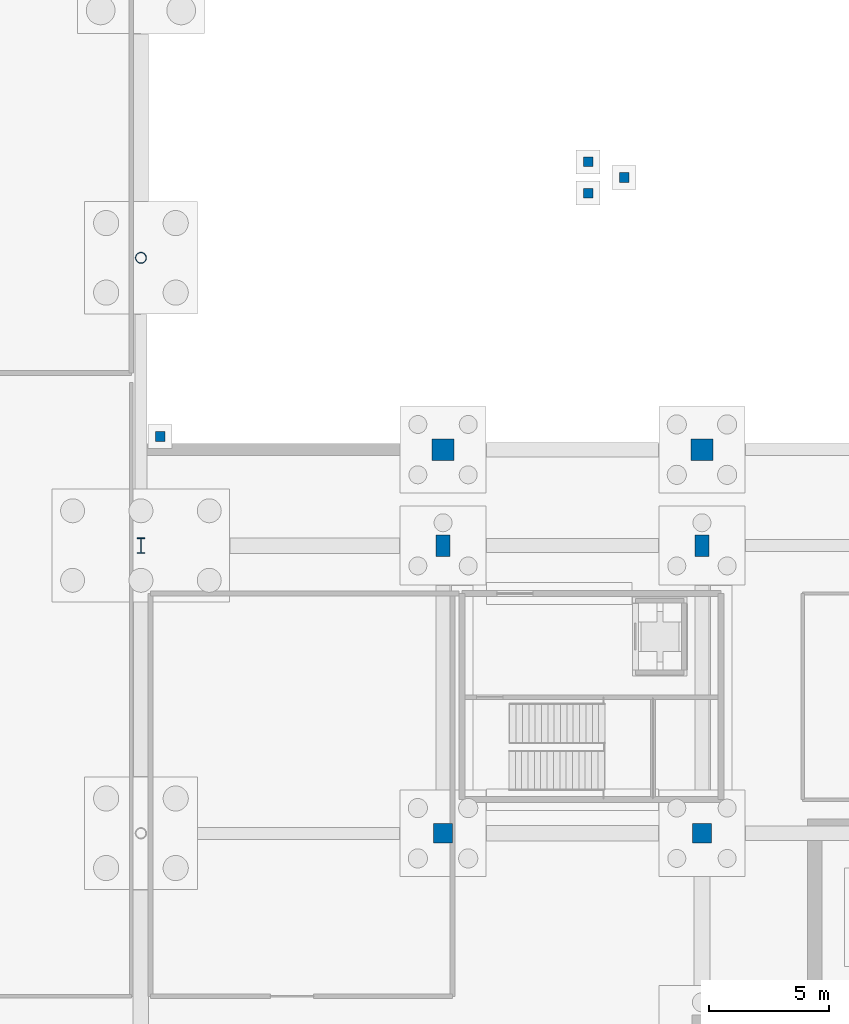
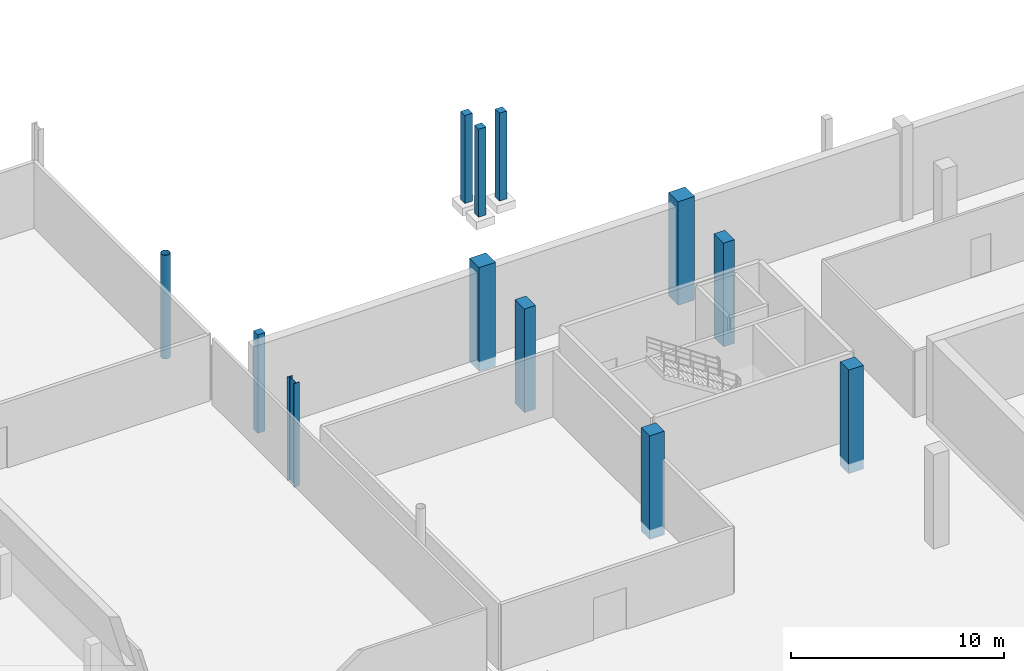
# One storey, part 16 of 42: 12 columns.
"""IFC4 building model written with IfcOpenShell, lengths in metres."""

import ifcopenshell
import ifcopenshell.guid

model = None  # the IFC model being written
_history = None  # IfcOwnerHistory: only IFC2X3 demands one
_inside = {}  # id of a spatial element -> (the spatial element, [elements in it])
_under = {}  # id of a project, library or spatial element -> (it, [spatial elements below it])
_declared = {}  # id of a project -> (the project, [libraries it declares])
_typed = {}  # id of a type object -> (the type object, [elements of that type])
_made_of = {}  # id of a material, layer set ... -> (it, [elements and type objects made of it])


def new_model(schema):
    """Start an empty IFC model of exactly this schema.

    Asked for "IFC4X3", IfcOpenShell would pick the latest addendum, in which some entities
    have other attributes; the version numbers below select the first issue.
    IFC2X3 requires an IfcOwnerHistory on every rooted entity: one is made here for all.
    """
    global model, _history
    if schema == "IFC4X3":
        model = ifcopenshell.file(schema_version=(4, 3, 0, 0))
    else:
        model = ifcopenshell.file(schema=schema)
    _inside.clear()
    _under.clear()
    _declared.clear()
    _typed.clear()
    _made_of.clear()
    _history = None
    if model.schema == "IFC2X3":
        org = make("IfcOrganization", Name="unknown")
        user = make(
            "IfcPersonAndOrganization",
            ThePerson=make("IfcPerson", FamilyName="unknown"),
            TheOrganization=org,
        )
        app = make(
            "IfcApplication",
            ApplicationDeveloper=org,
            Version="unknown",
            ApplicationFullName="unknown",
            ApplicationIdentifier="unknown",
        )
        _history = make(
            "IfcOwnerHistory",
            OwningUser=user,
            OwningApplication=app,
            ChangeAction="ADDED",
            CreationDate=0,
        )
    return model


def make(cls, **values):
    """One entity of the class cls with the attributes given. An attribute that is None is left unset."""
    return model.create_entity(
        cls, **{name: value for name, value in values.items() if value is not None}
    )


def rooted(cls, **values):
    """An entity with a GlobalId (a new one), such as an element, a storey or a relation."""
    return make(cls, GlobalId=ifcopenshell.guid.new(), OwnerHistory=_history, **values)


def si_unit(unit_type, name, prefix=None):
    """IfcSIUnit, for example si_unit("LENGTHUNIT", "METRE", prefix="MILLI")."""
    return make("IfcSIUnit", UnitType=unit_type, Prefix=prefix, Name=name)


def assignment(units):
    """IfcUnitAssignment: the units of a project."""
    return None if units is None else make("IfcUnitAssignment", Units=units)


def point(xyz):
    """IfcCartesianPoint."""
    return None if xyz is None else make("IfcCartesianPoint", Coordinates=xyz)


def direction(xyz):
    """IfcDirection."""
    return None if xyz is None else make("IfcDirection", DirectionRatios=xyz)


def frame(location, z_axis=None, x_axis=None):
    """IfcAxis2Placement3D, a coordinate frame: its origin and axes. An axis left out is left unset."""
    return make(
        "IfcAxis2Placement3D",
        Location=point(location),
        Axis=direction(z_axis),
        RefDirection=direction(x_axis),
    )


def frame_2d(location, x_axis=None):
    """IfcAxis2Placement2D, a coordinate frame in the plane: its origin and x axis."""
    return make(
        "IfcAxis2Placement2D", Location=point(location), RefDirection=direction(x_axis)
    )


def origin():
    """The frame at (0, 0, 0) with its axes left unset."""
    return frame((0.0, 0.0, 0.0))


def origin_2d():
    """The frame at (0, 0) in the plane with its x axis left unset."""
    return frame_2d((0.0, 0.0))


def place(relative_to, where):
    """IfcLocalPlacement: puts the frame where relative to a parent placement (None: the world)."""
    return make(
        "IfcLocalPlacement", PlacementRelTo=relative_to, RelativePlacement=where
    )


def context(
    kind, dimensions, precision=None, world=None, true_north=None, identifier=None
):
    """IfcGeometricRepresentationContext, for example the 3D "Model" context."""
    return make(
        "IfcGeometricRepresentationContext",
        ContextIdentifier=identifier,
        ContextType=kind,
        CoordinateSpaceDimension=dimensions,
        Precision=precision,
        WorldCoordinateSystem=world,
        TrueNorth=true_north,
    )


def subcontext(parent, identifier, kind, view, scale=None):
    """IfcGeometricRepresentationSubContext, for example "Body" below "Model"."""
    return make(
        "IfcGeometricRepresentationSubContext",
        ContextIdentifier=identifier,
        ContextType=kind,
        ParentContext=parent,
        TargetScale=scale,
        TargetView=view,
    )


def project(units=None, contexts=None):
    """IfcProject with its units and contexts."""
    return rooted(
        "IfcProject",
        Name="project",
        RepresentationContexts=contexts,
        UnitsInContext=assignment(units),
    )


def spatial(cls, under=None, at=None, **own):
    """A site, building, storey or space (cls), placed at a placement, below another one or the project."""
    s = rooted(cls, ObjectPlacement=at, **own)
    if under is not None:
        _under.setdefault(under.id(), (under, []))[1].append(s)
    return s


def profile(cls, at=None, kind="AREA", **sizes):
    """A parametric profile (cls). Its sizes go by their IFC names, for example OverallWidth=200.0."""
    return make(cls, ProfileType=kind, Position=at, **sizes)


def rectangle(**sizes):
    """IfcRectangleProfileDef."""
    return profile("IfcRectangleProfileDef", **sizes)


def hollow_circle(**sizes):
    """IfcCircleHollowProfileDef."""
    return profile("IfcCircleHollowProfileDef", **sizes)


def i_section(**sizes):
    """IfcIShapeProfileDef."""
    return profile("IfcIShapeProfileDef", **sizes)


def extrude(swept, where, along, depth):
    """IfcExtrudedAreaSolid: the profile swept, set in the frame where, extruded along a direction by depth."""
    return make(
        "IfcExtrudedAreaSolid",
        SweptArea=swept,
        Position=where,
        ExtrudedDirection=direction(along),
        Depth=depth,
    )


def shape(context_of_items, identifier, shape_type, items):
    """IfcShapeRepresentation: the items that make up one representation, for example the "Body"."""
    return make(
        "IfcShapeRepresentation",
        ContextOfItems=context_of_items,
        RepresentationIdentifier=identifier,
        RepresentationType=shape_type,
        Items=items,
    )


def material(Name=None, Category=None):
    """IfcMaterial."""
    return make("IfcMaterial", Name=Name, Category=Category)


def material_profile(
    of_material, cross_section, Name=None, Category=None, Priority=None
):
    """IfcMaterialProfile: a cross section and its material."""
    return make(
        "IfcMaterialProfile",
        Name=Name,
        Material=of_material,
        Profile=cross_section,
        Priority=Priority,
        Category=Category,
    )


def profile_set(profiles, Name=None, composite=None):
    """IfcMaterialProfileSet."""
    return make(
        "IfcMaterialProfileSet",
        Name=Name,
        MaterialProfiles=profiles,
        CompositeProfile=composite,
    )


def made_of(thing, what):
    """Note that an element or type object is made of a material, layer set ...; save() writes the relation."""
    if what is not None:
        _made_of.setdefault(what.id(), (what, []))[1].append(thing)
    return thing


def type_object(cls, material=None, **own):
    """A type object (cls), such as IfcWallType, which elements share."""
    return made_of(rooted(cls, **own), material)


def element(
    cls,
    number,
    at=None,
    inside=None,
    cuts=None,
    type_object=None,
    material=None,
    context=None,
    identifier="Body",
    shape_type=None,
    held_by="IfcProductDefinitionShape",
    body=None,
    shapes=None,
    **own,
):
    """One element of the class cls, such as IfcWall. Its Tag is "e" and its number.

    at: its placement. inside: the storey or other place that contains it. cuts: it is an
    opening in that element (IfcRelVoidsElement). A single representation is given by context,
    identifier, shape_type and body (its items); several are given by shapes. held_by: the class
    of the entity that holds the representations. save() writes the other relations.
    """
    e = rooted(cls, Tag="e%d" % number, ObjectPlacement=at, **own)
    if body is not None:
        shapes = [shape(context, identifier, shape_type, body)]
    if shapes is not None:
        e.Representation = make(held_by, Representations=shapes)
    if inside is not None:
        _inside.setdefault(inside.id(), (inside, []))[1].append(e)
    if cuts is not None:
        rooted(
            "IfcRelVoidsElement", RelatingBuildingElement=cuts, RelatedOpeningElement=e
        )
    if type_object is not None:
        _typed.setdefault(type_object.id(), (type_object, []))[1].append(e)
    return made_of(e, material)


def aggregate(whole, parts):
    """IfcRelAggregates: a whole, such as a stair, and the parts it consists of."""
    return rooted("IfcRelAggregates", RelatingObject=whole, RelatedObjects=parts)


def save(model, path):
    """Write the relations noted so far, then the file.

    IfcRelAggregates (storeys below a building ...), IfcRelContainedInSpatialStructure (elements
    in a storey), IfcRelDefinesByType, IfcRelAssociatesMaterial and IfcRelDeclares: one each for
    every whole, place, type object, material and project.
    """
    for whole, parts in _under.values():
        aggregate(whole, parts)
    for where, things in _inside.values():
        rooted(
            "IfcRelContainedInSpatialStructure",
            RelatedElements=things,
            RelatingStructure=where,
        )
    for kind, things in _typed.values():
        rooted("IfcRelDefinesByType", RelatedObjects=things, RelatingType=kind)
    for what, things in _made_of.values():
        rooted("IfcRelAssociatesMaterial", RelatedObjects=things, RelatingMaterial=what)
    for by, libraries in _declared.values():
        rooted("IfcRelDeclares", RelatingContext=by, RelatedDefinitions=libraries)
    model.write(path)


model = new_model("IFC4")

# Units and contexts
model_context = context("Model", 3, precision=1e-05, world=origin(), true_north=direction((0.0, 1.0)))
body_context = subcontext(model_context, "Body", "Model", "MODEL_VIEW")
ifc_project = project(units=[si_unit("LENGTHUNIT", "METRE"), si_unit("AREAUNIT", "SQUARE_METRE"), si_unit("VOLUMEUNIT", "CUBIC_METRE"), si_unit("PLANEANGLEUNIT", "RADIAN"), si_unit("MASSUNIT", "GRAM", prefix="KILO"), si_unit("THERMODYNAMICTEMPERATUREUNIT", "KELVIN"), si_unit("POWERUNIT", "WATT")], contexts=[model_context])

# Site, building, storey
site_placement = place(None, origin())
site = spatial("IfcSite", under=ifc_project, at=site_placement, CompositionType="ELEMENT")
building_placement = place(site_placement, origin())
building = spatial("IfcBuilding", under=site, at=building_placement, Name="Solmara Park Aquatics Centre", CompositionType="ELEMENT")
storey_placement = place(building_placement, frame((0.0, 0.0, -5.39990234375)))
storey = spatial("IfcBuildingStorey", under=building, at=storey_placement, Name="B1", CompositionType="ELEMENT", Elevation=-5.39990234375)

# Columns
ifc_material_1 = material(Name="Structural Steel S355", Category="steel")
ifc_material_profile_1 = material_profile(ifc_material_1, hollow_circle(Radius=0.228515625, WallThickness=0.01611328125, at=origin_2d()), Name="CHS 457x16")
ifc_profile_set_1 = profile_set([ifc_material_profile_1], Name="Structural Steel S355")
column_type_1 = type_object("IfcColumnType", Name="STR-COL-CHS457", PredefinedType="COLUMN", material=ifc_profile_set_1)
column_1_placement = place(storey_placement, frame((96.60009765625, 60.60009765625, -0.550048828125), z_axis=(0.0, 0.0, 1.0), x_axis=(1.0, 0.0, 0.0)))
element("IfcColumn", 1, at=column_1_placement, inside=storey, type_object=column_type_1, Name="Column B1-0070", PredefinedType="COLUMN", context=body_context, shape_type="SweptSolid", body=[
    extrude(hollow_circle(Radius=0.228515625, WallThickness=0.01611328125, at=origin_2d()), origin(), (0.0, 0.0, 1.0), 5.949951171875),
])
ifc_material_profile_2 = material_profile(ifc_material_1, i_section(OverallWidth=0.300048828125, OverallDepth=0.64990234375, WebThickness=0.01611328125, FlangeThickness=0.031005859375, FilletRadius=0.027099609375, at=origin_2d()), Name="HEB 650")
ifc_profile_set_2 = profile_set([ifc_material_profile_2], Name="Structural Steel S355")
column_type_2 = type_object("IfcColumnType", Name="STR-COL-HEB650", PredefinedType="COLUMN", material=ifc_profile_set_2)
column_2_placement = place(storey_placement, frame((96.60009765625, 48.60009765625, -0.550048828125), z_axis=(0.0, 0.0, 1.0), x_axis=(1.0, 0.0, 0.0)))
element("IfcColumn", 2, at=column_2_placement, inside=storey, type_object=column_type_2, Name="Column B1-0069", PredefinedType="COLUMN", context=body_context, shape_type="SweptSolid", body=[
    extrude(i_section(OverallWidth=0.300048828125, OverallDepth=0.64990234375, WebThickness=0.01611328125, FlangeThickness=0.031005859375, FilletRadius=0.027099609375, at=origin_2d()), origin(), (0.0, 0.0, 1.0), 5.949951171875),
])
ifc_material_2 = material(Name="Concrete C40/50", Category="concrete")
ifc_material_profile_3 = material_profile(ifc_material_2, rectangle(XDim=0.39990234375, YDim=0.39990234375, at=origin_2d()), Name="RC 400x400")
ifc_profile_set_3 = profile_set([ifc_material_profile_3], Name="Concrete C40/50")
column_type_3 = type_object("IfcColumnType", Name="STR-COL-RC400", PredefinedType="COLUMN", material=ifc_profile_set_3)
column_3_placement = place(storey_placement, frame((97.39990234375, 53.14990234375, -0.550048828125), z_axis=(0.0, 0.0, 1.0), x_axis=(1.0, 0.0, 0.0)))
element("IfcColumn", 3, at=column_3_placement, inside=storey, type_object=column_type_3, Name="Apron Foundation Pier SLB-L00-APR-V2N-1", PredefinedType="COLUMN", context=body_context, shape_type="SweptSolid", body=[
    extrude(rectangle(XDim=0.39990234375, YDim=0.39990234375, at=origin_2d()), origin(), (0.0, 0.0, 1.0), 5.64990234375),
])
for number, where, z_axis, x_axis, name in (
    (4, (115.25, 63.300048828125, -0.550048828125), (0.0, 0.0, 1.0), (1.0, 0.0, 0.0), "Garden Court Diving Threshold Accessible Ramp Foundation Pier 1"),
    (5, (115.25, 64.60009765625, -0.550048828125), (0.0, 0.0, 1.0), (1.0, 0.0, 0.0), "Garden Court Diving Threshold Accessible Ramp Foundation Pier 2"),
    (6, (116.75, 63.949951171875, -0.550048828125), (0.0, 0.0, 1.0), (1.0, 0.0, 0.0), "Garden Court Diving Threshold Accessible Ramp Foundation Pier 3"),
):
    element("IfcColumn", number, at=place(storey_placement, frame(where, z_axis=z_axis, x_axis=x_axis)), inside=storey, type_object=column_type_3, Name=name, PredefinedType="COLUMN", context=body_context, shape_type="SweptSolid", body=[
        extrude(rectangle(XDim=0.39990234375, YDim=0.39990234375, at=origin_2d()), origin(), (0.0, 0.0, 1.0), 5.050048828125),
    ])
ifc_material_profile_4 = material_profile(ifc_material_2, rectangle(XDim=0.60009765625, YDim=0.89990234375, at=origin_2d()), Name="RC 600x900")
ifc_profile_set_4 = profile_set([ifc_material_profile_4], Name="Concrete C40/50")
column_type_4 = type_object("IfcColumnType", Name="STR-COL-RC600x900", PredefinedType="COLUMN", material=ifc_profile_set_4)
for number, where, z_axis, x_axis, name in (
    (7, (109.199951171875, 48.60009765625, -0.550048828125), (0.0, 0.0, 1.0), (1.0, 0.0, 0.0), "Column B1-0080"),
    (8, (120.0, 48.60009765625, -0.550048828125), (0.0, 0.0, 1.0), (1.0, 0.0, 0.0), "Column B1-0092"),
):
    element("IfcColumn", number, at=place(storey_placement, frame(where, z_axis=z_axis, x_axis=x_axis)), inside=storey, type_object=column_type_4, Name=name, PredefinedType="COLUMN", context=body_context, shape_type="SweptSolid", body=[
        extrude(rectangle(XDim=0.60009765625, YDim=0.89990234375, at=origin_2d()), origin(), (0.0, 0.0, 1.0), 5.949951171875),
    ])
ifc_material_profile_5 = material_profile(ifc_material_2, rectangle(XDim=0.800048828125, YDim=0.800048828125, at=origin_2d()), Name="RC 800x800")
ifc_profile_set_5 = profile_set([ifc_material_profile_5], Name="Concrete C40/50")
column_type_5 = type_object("IfcColumnType", Name="STR-COL-RC800", PredefinedType="COLUMN", material=ifc_profile_set_5)
for number, where, z_axis, x_axis, name in (
    (9, (109.199951171875, 36.60009765625, -0.550048828125), (0.0, 0.0, 1.0), (1.0, 0.0, 0.0), "Column B1-0079"),
    (10, (120.0, 36.60009765625, -0.550048828125), (0.0, 0.0, 1.0), (1.0, 0.0, 0.0), "Column B1-0091"),
):
    element("IfcColumn", number, at=place(storey_placement, frame(where, z_axis=z_axis, x_axis=x_axis)), inside=storey, type_object=column_type_5, Name=name, PredefinedType="COLUMN", context=body_context, shape_type="SweptSolid", body=[
        extrude(rectangle(XDim=0.800048828125, YDim=0.800048828125, at=origin_2d()), origin(), (0.0, 0.0, 1.0), 5.949951171875),
    ])
ifc_material_profile_6 = material_profile(ifc_material_2, rectangle(XDim=0.89990234375, YDim=0.89990234375, at=origin_2d()), Name="RC 900x900")
ifc_profile_set_6 = profile_set([ifc_material_profile_6], Name="Concrete C40/50")
column_type_6 = type_object("IfcColumnType", Name="STR-COL-RC900", PredefinedType="COLUMN", material=ifc_profile_set_6)
for number, where, z_axis, x_axis, name in (
    (11, (109.199951171875, 52.60009765625, -0.550048828125), (0.0, 0.0, 1.0), (1.0, 0.0, 0.0), "Column B1-0081"),
    (12, (120.0, 52.60009765625, -0.550048828125), (0.0, 0.0, 1.0), (1.0, 0.0, 0.0), "Column B1-0093"),
):
    element("IfcColumn", number, at=place(storey_placement, frame(where, z_axis=z_axis, x_axis=x_axis)), inside=storey, type_object=column_type_6, Name=name, PredefinedType="COLUMN", context=body_context, shape_type="SweptSolid", body=[
        extrude(rectangle(XDim=0.89990234375, YDim=0.89990234375, at=origin_2d()), origin(), (0.0, 0.0, 1.0), 5.949951171875),
    ])

save(model, "model.ifc")
